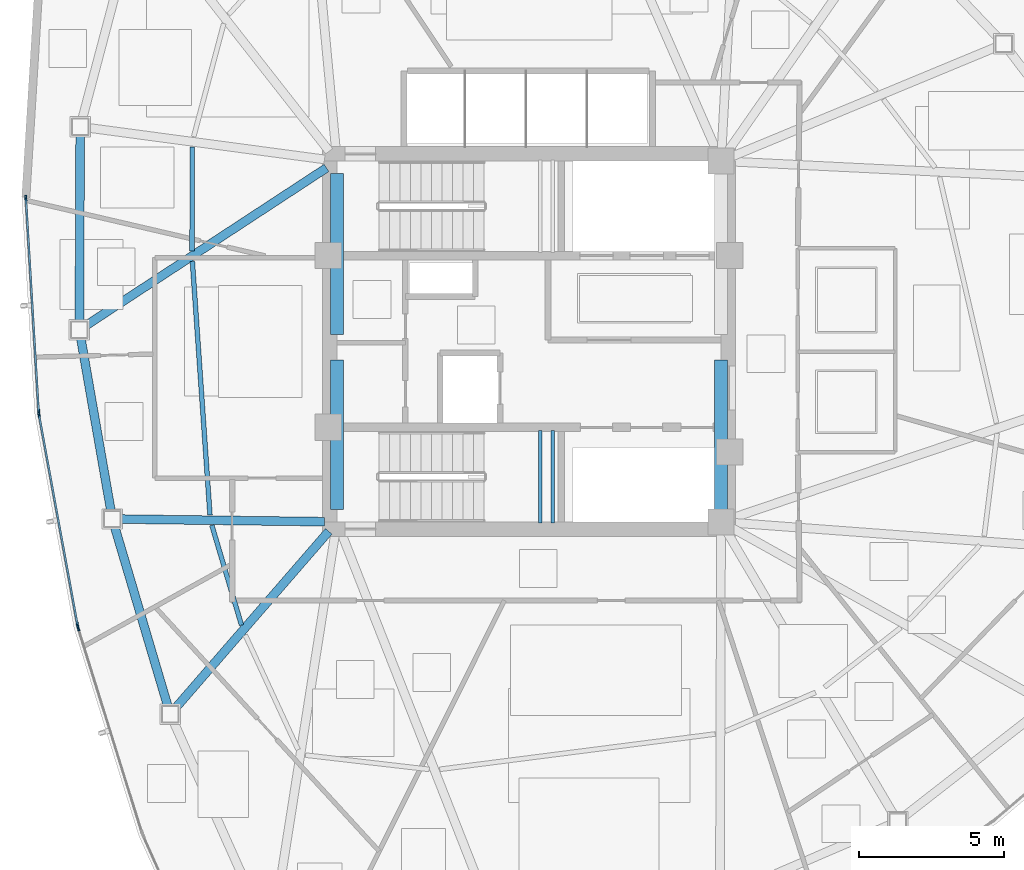
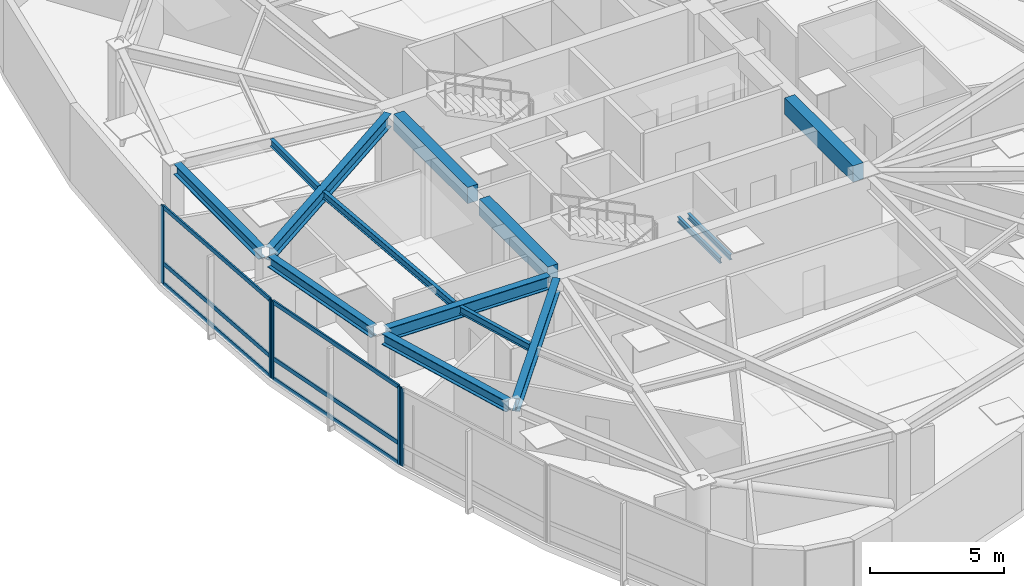
# One storey, part 4 of 17: 14 beams, 11 members, 3 elements without a shape of their own.
"""IFC4 building model written with IfcOpenShell, lengths in metres."""

from ifc_helpers import new_model, si_unit, direction, frame, origin, origin_2d, place, context, subcontext, project, spatial, rectangle, hollow_rectangle, i_section, extrude, source, transform, mapped, material, layer, layer_set, material_profile, profile_set, type_object, type_shapes, element, aggregate, save


model = new_model("IFC4")

# Units and contexts
model_context = context("Model", 3, precision=1e-05, world=origin(), true_north=direction((0.0, 1.0)))
body_context = subcontext(model_context, "Body", "Model", "MODEL_VIEW")
ifc_project = project(units=[si_unit("LENGTHUNIT", "METRE"), si_unit("AREAUNIT", "SQUARE_METRE"), si_unit("VOLUMEUNIT", "CUBIC_METRE"), si_unit("PLANEANGLEUNIT", "RADIAN"), si_unit("MASSUNIT", "GRAM", prefix="KILO")], contexts=[model_context])

# Site, building, storey
site_placement = place(None, origin())
site = spatial("IfcSite", under=ifc_project, at=site_placement, CompositionType="ELEMENT")
building_placement = place(site_placement, origin())
building = spatial("IfcBuilding", under=site, at=building_placement, Name="Tavelor Broadcast Tower", CompositionType="ELEMENT")
storey_placement = place(building_placement, frame((0.0, 0.0, 188.75)))
storey = spatial("IfcBuildingStorey", under=building, at=storey_placement, Name="L45", CompositionType="ELEMENT", Elevation=188.75)

# Beams
ifc_material_1 = material(Name="Concrete C40/50", Category="concrete")
ifc_material_profile_1 = material_profile(ifc_material_1, rectangle(XDim=0.449951171875, YDim=0.75, at=origin_2d()), Name="RC 450x750")
ifc_profile_set_1 = profile_set([ifc_material_profile_1], Name="Concrete C40/50")
beam_type_1 = type_object("IfcBeamType", Name="Basement Core Trim Beam 450x750", PredefinedType="BEAM", material=ifc_profile_set_1)
beam_1_placement = place(storey_placement, frame((43.39990234375, 45.23193359375, 3.175048828125), z_axis=(0.0, 1.0, 0.0), x_axis=(-1.0, 0.0, 0.0)))
element("IfcBeam", 1, at=beam_1_placement, inside=storey, type_object=beam_type_1, Name="L45 Core West-N Tie Girder", PredefinedType="BEAM", context=body_context, shape_type="SweptSolid", body=[
    extrude(rectangle(XDim=0.449951171875, YDim=0.75, at=origin_2d()), origin(), (0.0, 0.0, 1.0), 5.5361328125),
])
for number, where, z_axis, x_axis, name in (
    (2, (43.39990234375, 39.23193359375, 3.175048828125), (0.0, 1.0, 0.0), (-1.0, 0.0, 0.0), "L45 Core West-S Tie Girder"),
    (3, (56.60009765625, 39.23193359375, 3.175048828125), (0.0, 1.0, 0.0), (-1.0, 0.0, 0.0), "L45 Core East-S Tie Girder"),
):
    element("IfcBeam", number, at=place(storey_placement, frame(where, z_axis=z_axis, x_axis=x_axis)), inside=storey, type_object=beam_type_1, Name=name, PredefinedType="BEAM", context=body_context, shape_type="SweptSolid", body=[
        extrude(rectangle(XDim=0.449951171875, YDim=0.75, at=origin_2d()), origin(), (0.0, 0.0, 1.0), 5.135986328125),
    ])
ifc_material_2 = material(Name="Steel S355", Category="steel")
ifc_material_profile_2 = material_profile(ifc_material_2, i_section(OverallWidth=0.159912109375, OverallDepth=0.330078125, WebThickness=0.007568359375, FlangeThickness=0.011474609375, at=origin_2d()), Name="IPE 330")
ifc_profile_set_2 = profile_set([ifc_material_profile_2], Name="Steel S355")
beam_type_2 = type_object("IfcBeamType", Name="Composite Floor Joist T4 IPE 330", PredefinedType="JOIST", material=ifc_profile_set_2)
beam_2_placement = place(storey_placement, frame((38.428955078125, 51.68310546875, 3.385009765625), z_axis=(-0.002943579799, -0.99999566766, 0.0), x_axis=(0.99999566766, -0.002943579799, 0.0)))
element("IfcBeam", 4, at=beam_2_placement, inside=storey, type_object=beam_type_2, Name="L45 Secondary Composite Floor Joist 03", PredefinedType="JOIST", context=body_context, shape_type="SweptSolid", body=[
    extrude(i_section(OverallWidth=0.159912109375, OverallDepth=0.330078125, WebThickness=0.007568359375, FlangeThickness=0.011474609375, at=origin_2d()), origin(), (0.0, 0.0, 1.0), 3.56640625),
])
beam_3_placement = place(storey_placement, frame((38.430419921875, 47.755126953125, 3.385009765625), z_axis=(0.069281460066, -0.997597152808, 0.0), x_axis=(0.997597152808, 0.069281460066, 0.0)))
element("IfcBeam", 5, at=beam_3_placement, inside=storey, type_object=beam_type_2, Name="L45 Secondary Composite Floor Joist 04", PredefinedType="JOIST", context=body_context, shape_type="SweptSolid", body=[
    extrude(i_section(OverallWidth=0.159912109375, OverallDepth=0.330078125, WebThickness=0.007568359375, FlangeThickness=0.011474609375, at=origin_2d()), origin(), (0.0, 0.0, 1.0), 8.7392578125),
])
beam_4_placement = place(storey_placement, frame((39.10009765625, 38.682861328125, 3.385009765625), z_axis=(0.284738295298, -0.958605290613, 0.0), x_axis=(0.958605290613, 0.284738295298, 0.0)))
element("IfcBeam", 6, at=beam_4_placement, inside=storey, type_object=beam_type_2, Name="L45 Secondary Composite Floor Joist 05", PredefinedType="JOIST", context=body_context, shape_type="SweptSolid", body=[
    extrude(i_section(OverallWidth=0.159912109375, OverallDepth=0.330078125, WebThickness=0.007568359375, FlangeThickness=0.011474609375, at=origin_2d()), origin(), (0.0, 0.0, 1.0), 3.58056640625),
])
ifc_material_profile_3 = material_profile(ifc_material_2, i_section(OverallWidth=0.300048828125, OverallDepth=0.5, WebThickness=0.014404296875, FlangeThickness=0.028076171875, at=origin_2d()), Name="HEB 500")
ifc_profile_set_3 = profile_set([ifc_material_profile_3], Name="Steel S355")
beam_type_3 = type_object("IfcBeamType", Name="Perimeter Spandrel Beam T4 HEB 500", PredefinedType="SPANDREL", material=ifc_profile_set_3)
beam_5_placement = place(storey_placement, frame((34.573974609375, 52.09130859375, 3.300048828125), z_axis=(-0.004117073981, -0.999991524815, 0.0), x_axis=(0.999991524815, -0.004117073981, 0.0)))
element("IfcBeam", 7, at=beam_5_placement, inside=storey, type_object=beam_type_3, Name="L45 Framed-Tube Ring Spandrel 03", PredefinedType="SPANDREL", context=body_context, shape_type="SweptSolid", body=[
    extrude(i_section(OverallWidth=0.300048828125, OverallDepth=0.5, WebThickness=0.014404296875, FlangeThickness=0.028076171875, at=origin_2d()), origin(), (0.0, 0.0, 1.0), 6.404296875),
])
beam_6_placement = place(storey_placement, frame((34.595947265625, 45.115478515625, 3.300048828125), z_axis=(0.171987908601, -0.985099060651, 0.0), x_axis=(0.985099060651, 0.171987908601, 0.0)))
element("IfcBeam", 8, at=beam_6_placement, inside=storey, type_object=beam_type_3, Name="L45 Framed-Tube Ring Spandrel 04", PredefinedType="SPANDREL", context=body_context, shape_type="SweptSolid", body=[
    extrude(i_section(OverallWidth=0.300048828125, OverallDepth=0.5, WebThickness=0.014404296875, FlangeThickness=0.028076171875, at=origin_2d()), origin(), (0.0, 0.0, 1.0), 6.021728515625),
])
beam_7_placement = place(storey_placement, frame((35.7626953125, 38.623779296875, 3.300048828125), z_axis=(0.283962764381, -0.958835308301, 0.0), x_axis=(0.958835308301, 0.283962764381, 0.0)))
element("IfcBeam", 9, at=beam_7_placement, inside=storey, type_object=beam_type_3, Name="L45 Framed-Tube Ring Spandrel 05", PredefinedType="SPANDREL", context=body_context, shape_type="SweptSolid", body=[
    extrude(i_section(OverallWidth=0.300048828125, OverallDepth=0.5, WebThickness=0.014404296875, FlangeThickness=0.028076171875, at=origin_2d()), origin(), (0.0, 0.0, 1.0), 6.421630859375),
])
ifc_material_profile_4 = material_profile(ifc_material_2, i_section(OverallWidth=0.300048828125, OverallDepth=0.590087890625, WebThickness=0.012939453125, FlangeThickness=0.02490234375, at=origin_2d()), Name="HEA 600")
ifc_profile_set_4 = profile_set([ifc_material_profile_4], Name="Steel S355")
beam_type_4 = type_object("IfcBeamType", Name="Radial Floor Girder T4 HEA 600", PredefinedType="BEAM", material=ifc_profile_set_4)
beam_8_placement = place(storey_placement, frame((43.038818359375, 50.963134765625, 3.2548828125), z_axis=(-0.83645565271, -0.548034616652, 0.0), x_axis=(0.548034616652, -0.83645565271, 0.0)))
element("IfcBeam", 10, at=beam_8_placement, inside=storey, type_object=beam_type_4, Name="L45 Radial Primary Floor Girder 04", PredefinedType="BEAM", context=body_context, shape_type="SweptSolid", body=[
    extrude(i_section(OverallWidth=0.300048828125, OverallDepth=0.590087890625, WebThickness=0.012939453125, FlangeThickness=0.02490234375, at=origin_2d()), origin(), (0.0, 0.0, 1.0), 9.86474609375),
])
beam_9_placement = place(storey_placement, frame((42.968017578125, 38.8056640625, 3.2548828125), z_axis=(-0.99991627243, 0.012940175006, 0.0), x_axis=(-0.012940175006, -0.99991627243, 0.0)))
element("IfcBeam", 11, at=beam_9_placement, inside=storey, type_object=beam_type_4, Name="L45 Radial Primary Floor Girder 05", PredefinedType="BEAM", context=body_context, shape_type="SweptSolid", body=[
    extrude(i_section(OverallWidth=0.300048828125, OverallDepth=0.590087890625, WebThickness=0.012939453125, FlangeThickness=0.02490234375, at=origin_2d()), origin(), (0.0, 0.0, 1.0), 6.99951171875),
])
beam_10_placement = place(storey_placement, frame((43.116943359375, 38.4736328125, 3.2548828125), z_axis=(-0.655167826376, -0.755483367972, 0.0), x_axis=(0.755483367972, -0.655167826376, 0.0)))
element("IfcBeam", 12, at=beam_10_placement, inside=storey, type_object=beam_type_4, Name="L45 Radial Primary Floor Girder 06", PredefinedType="BEAM", context=body_context, shape_type="SweptSolid", body=[
    extrude(i_section(OverallWidth=0.300048828125, OverallDepth=0.590087890625, WebThickness=0.012939453125, FlangeThickness=0.02490234375, at=origin_2d()), origin(), (0.0, 0.0, 1.0), 8.02880859375),
])
ifc_material_profile_5 = material_profile(ifc_material_2, i_section(OverallWidth=0.1201171875, OverallDepth=0.239990234375, WebThickness=0.006103515625, FlangeThickness=0.009765625, at=origin_2d()), Name="IPE 240")
ifc_profile_set_5 = profile_set([ifc_material_profile_5], Name="Steel S355")
beam_type_5 = type_object("IfcBeamType", Name="Stairwell Landing Support Trimmer Beam IPE240", PredefinedType="BEAM", material=ifc_profile_set_5)
for number, where, z_axis, x_axis, name in (
    (13, (50.385009765625, 38.760009765625, 1.610107421875), (0.0, 1.0, 0.0), (-1.0, 0.0, 0.0), "L45 Stair Landing Support Beam 337"),
    (14, (50.824951171875, 38.760009765625, 1.610107421875), (0.0, 1.0, 0.0), (-1.0, 0.0, 0.0), "L45 Stair Landing Support Beam 338"),
):
    element("IfcBeam", number, at=place(storey_placement, frame(where, z_axis=z_axis, x_axis=x_axis)), inside=storey, type_object=beam_type_5, Name=name, PredefinedType="BEAM", context=body_context, shape_type="SweptSolid", body=[
        extrude(i_section(OverallWidth=0.1201171875, OverallDepth=0.239990234375, WebThickness=0.006103515625, FlangeThickness=0.009765625, at=origin_2d()), origin(), (0.0, 0.0, 1.0), 3.179931640625),
    ])

# Curtain wall, members
ifc_material_3 = material(Name="Architectural Anodized Aluminium", Category="aluminium")
ifc_layer = layer(ifc_material_3, 0.18994140625)
ifc_layer_set = layer_set([ifc_layer], Name="Architectural Anodized Aluminium")
curtain_wall_type = type_object("IfcCurtainWallType", Name="Tower Mid-Zone Acoustic Curtain Wall CW03", PredefinedType="NOTDEFINED", material=ifc_layer_set)
curtain_wall_1_placement = place(storey_placement, origin())
curtain_wall_1 = element("IfcCurtainWall", 15, at=curtain_wall_1_placement, inside=storey, type_object=curtain_wall_type, Name="L45 Curtain Wall CW03 Run 481", PredefinedType="NOTDEFINED")
ifc_material_profile_6 = material_profile(ifc_material_3, hollow_rectangle(XDim=0.068115234375, YDim=0.18994140625, WallThickness=0.02197265625, at=origin_2d()), Name="RHS 68x190x22")
ifc_profile_set_6 = profile_set([ifc_material_profile_6], Name="Architectural Anodized Aluminium")
member_type_1 = type_object("IfcMemberType", Name="CW03 Extruded Aluminium Mullion 68x190", PredefinedType="MULLION", material=ifc_profile_set_6)
shared_shape_1 = source(origin(), body_context, "Body", "SweptSolid", [
    extrude(hollow_rectangle(XDim=0.068115234375, YDim=0.18994140625, WallThickness=0.02197265625, at=origin_2d()), origin(), (0.0, 0.0, 1.0), 3.550048828125),
])
type_shapes(member_type_1, [shared_shape_1])
member_1_placement = place(storey_placement, frame((32.70849609375, 49.931884765625, 0.0), z_axis=(0.0, 0.0, 1.0), x_axis=(0.998215470725, 0.059714939542, 0.0)))
member_1 = element("IfcMember", 16, at=member_1_placement, type_object=member_type_1, Name="CW03 mullion 1", PredefinedType="MULLION", context=body_context, shape_type="MappedRepresentation", body=[
    mapped(shared_shape_1, transform((0.0, 0.0, 0.0), scale=1.0)),
])
member_2_placement = place(storey_placement, frame((33.148681640625, 42.57421875, 0.0), z_axis=(0.0, 0.0, 1.0), x_axis=(0.998215470725, 0.059714939542, 0.0)))
member_2 = element("IfcMember", 17, at=member_2_placement, type_object=member_type_1, Name="CW03 mullion 2", PredefinedType="MULLION", context=body_context, shape_type="MappedRepresentation", body=[
    mapped(shared_shape_1, transform((0.0, 0.0, 0.0), scale=1.0)),
])

curtain_wall_2_placement = place(storey_placement, origin())
curtain_wall_2 = element("IfcCurtainWall", 18, at=curtain_wall_2_placement, inside=storey, type_object=curtain_wall_type, Name="L45 Curtain Wall CW03 Run 482", PredefinedType="NOTDEFINED")
member_3_placement = place(storey_placement, frame((33.160400390625, 42.477294921875, 0.0), z_axis=(0.0, 0.0, 1.0), x_axis=(0.983648025474, 0.180101532424, 0.0)))
member_3 = element("IfcMember", 19, at=member_3_placement, type_object=member_type_1, Name="CW03 mullion 1", PredefinedType="MULLION", context=body_context, shape_type="MappedRepresentation", body=[
    mapped(shared_shape_1, transform((0.0, 0.0, 0.0), scale=1.0)),
])
member_4_placement = place(storey_placement, frame((34.485107421875, 35.241943359375, 0.0), z_axis=(0.0, 0.0, 1.0), x_axis=(0.983648025474, 0.180101532424, 0.0)))
member_4 = element("IfcMember", 20, at=member_4_placement, type_object=member_type_1, Name="CW03 mullion 2", PredefinedType="MULLION", context=body_context, shape_type="MappedRepresentation", body=[
    mapped(shared_shape_1, transform((0.0, 0.0, 0.0), scale=1.0)),
])

# Curtain wall, member
curtain_wall_3_placement = place(storey_placement, origin())
curtain_wall_3 = element("IfcCurtainWall", 21, at=curtain_wall_3_placement, inside=storey, type_object=curtain_wall_type, Name="L45 Curtain Wall CW03 Run 483", PredefinedType="NOTDEFINED")
member_5_placement = place(storey_placement, frame((34.508544921875, 35.14697265625, 0.0), z_axis=(0.0, 0.0, 1.0), x_axis=(0.954626551913, 0.297805551296, 0.0)))
member_5 = element("IfcMember", 22, at=member_5_placement, type_object=member_type_1, Name="CW03 mullion 1", PredefinedType="MULLION", context=body_context, shape_type="MappedRepresentation", body=[
    mapped(shared_shape_1, transform((0.0, 0.0, 0.0), scale=1.0)),
])
aggregate(curtain_wall_3, [member_5])

# Member
ifc_material_profile_7 = material_profile(ifc_material_3, hollow_rectangle(XDim=0.068115234375, YDim=0.18994140625, WallThickness=0.02197265625, at=origin_2d()), Name="RHS 68x190x22")
ifc_profile_set_7 = profile_set([ifc_material_profile_7], Name="Architectural Anodized Aluminium")
member_type_2 = type_object("IfcMemberType", Name="CW03 Extruded Aluminium Transom 68x190", PredefinedType="USERDEFINED", material=ifc_profile_set_7)
shared_shape_2 = source(origin(), body_context, "Body", "SweptSolid", [
    extrude(hollow_rectangle(XDim=0.068115234375, YDim=0.18994140625, WallThickness=0.02197265625, at=origin_2d()), origin(), (0.0, 0.0, 1.0), 7.302490234375),
])
member_6_placement = place(storey_placement, frame((32.71044921875, 49.89794921875, 0.033935546875), z_axis=(0.059743051786, -0.998213788606, 0.0), x_axis=(0.998213788606, 0.059743051786, 0.0)))
member_6 = element("IfcMember", 23, at=member_6_placement, type_object=member_type_2, Name="CW03 transom 1.1", ObjectType="TRANSOM", PredefinedType="USERDEFINED", context=body_context, shape_type="MappedRepresentation", body=[
    mapped(shared_shape_2, transform((0.0, 0.0, 0.0), scale=1.0)),
])

member_7_placement = place(storey_placement, frame((32.71044921875, 49.89794921875, 0.949951171875), z_axis=(0.059743051786, -0.998213788606, 0.0), x_axis=(0.998213788606, 0.059743051786, 0.0)))
member_7 = element("IfcMember", 24, at=member_7_placement, type_object=member_type_2, Name="CW03 transom 1.2", ObjectType="TRANSOM", PredefinedType="USERDEFINED", context=body_context, shape_type="MappedRepresentation", body=[
    mapped(shared_shape_2, transform((0.0, 0.0, 0.0), scale=1.0)),
])

member_8_placement = place(storey_placement, frame((32.71044921875, 49.89794921875, 3.51611328125), z_axis=(0.059743051786, -0.998213788606, 0.0), x_axis=(0.998213788606, 0.059743051786, 0.0)))
member_8 = element("IfcMember", 25, at=member_8_placement, type_object=member_type_2, Name="CW03 transom 1.3", ObjectType="TRANSOM", PredefinedType="USERDEFINED", context=body_context, shape_type="MappedRepresentation", body=[
    mapped(shared_shape_2, transform((0.0, 0.0, 0.0), scale=1.0)),
])

aggregate(curtain_wall_1, [member_1, member_2, member_6, member_7, member_8])

shared_shape_3 = source(origin(), body_context, "Body", "SweptSolid", [
    extrude(hollow_rectangle(XDim=0.068115234375, YDim=0.18994140625, WallThickness=0.02197265625, at=origin_2d()), origin(), (0.0, 0.0, 1.0), 7.28759765625),
])
type_shapes(member_type_2, [shared_shape_2, shared_shape_3])
member_9_placement = place(storey_placement, frame((33.16650390625, 42.44384765625, 0.033935546875), z_axis=(0.180099904217, -0.98364832359, 0.0), x_axis=(0.98364832359, 0.180099904217, 0.0)))
member_9 = element("IfcMember", 26, at=member_9_placement, type_object=member_type_2, Name="CW03 transom 1.1", ObjectType="TRANSOM", PredefinedType="USERDEFINED", context=body_context, shape_type="MappedRepresentation", body=[
    mapped(shared_shape_3, transform((0.0, 0.0, 0.0), scale=1.0)),
])

member_10_placement = place(storey_placement, frame((33.16650390625, 42.44384765625, 0.949951171875), z_axis=(0.180099904217, -0.98364832359, 0.0), x_axis=(0.98364832359, 0.180099904217, 0.0)))
member_10 = element("IfcMember", 27, at=member_10_placement, type_object=member_type_2, Name="CW03 transom 1.2", ObjectType="TRANSOM", PredefinedType="USERDEFINED", context=body_context, shape_type="MappedRepresentation", body=[
    mapped(shared_shape_3, transform((0.0, 0.0, 0.0), scale=1.0)),
])

member_11_placement = place(storey_placement, frame((33.16650390625, 42.44384765625, 3.51611328125), z_axis=(0.180099904217, -0.98364832359, 0.0), x_axis=(0.98364832359, 0.180099904217, 0.0)))
member_11 = element("IfcMember", 28, at=member_11_placement, type_object=member_type_2, Name="CW03 transom 1.3", ObjectType="TRANSOM", PredefinedType="USERDEFINED", context=body_context, shape_type="MappedRepresentation", body=[
    mapped(shared_shape_3, transform((0.0, 0.0, 0.0), scale=1.0)),
])

aggregate(curtain_wall_2, [member_3, member_4, member_9, member_10, member_11])

save(model, "model.ifc")
